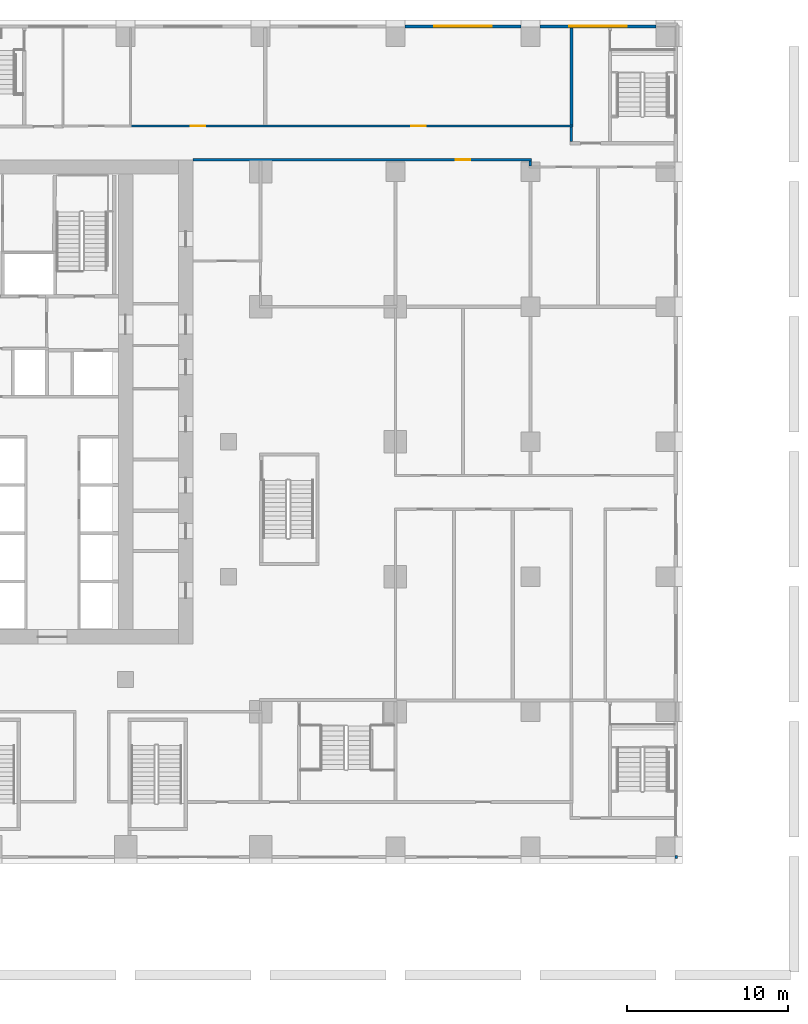
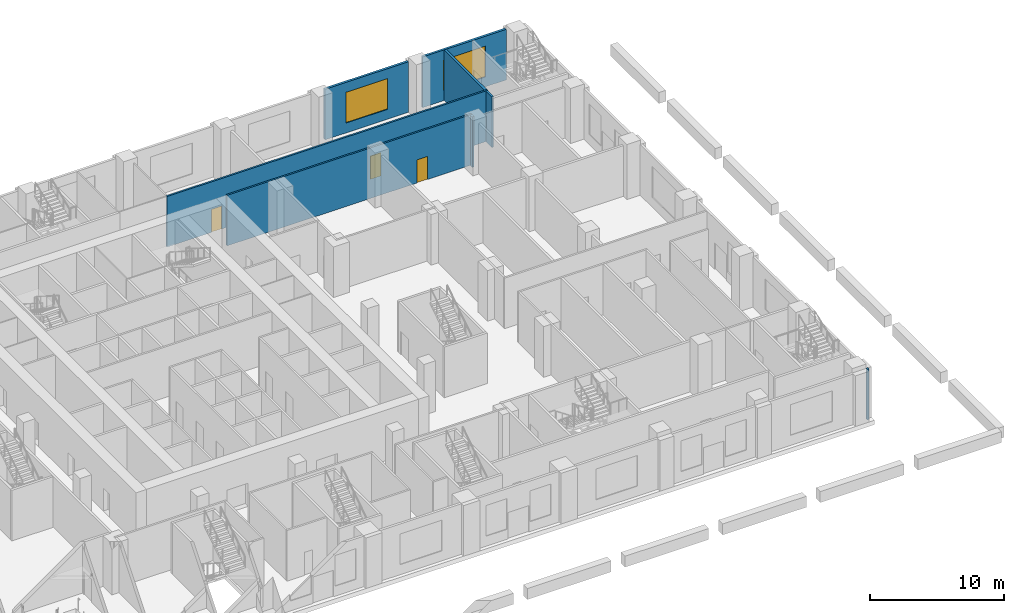
# One storey, part 9 of 21: 8 walls, 3 doors, 2 windows, 5 openings.
"""IFC4 building model written with IfcOpenShell, lengths in metres."""

import ifcopenshell
import ifcopenshell.guid

model = None  # the IFC model being written
_history = None  # IfcOwnerHistory: only IFC2X3 demands one
_inside = {}  # id of a spatial element -> (the spatial element, [elements in it])
_under = {}  # id of a project, library or spatial element -> (it, [spatial elements below it])
_declared = {}  # id of a project -> (the project, [libraries it declares])
_typed = {}  # id of a type object -> (the type object, [elements of that type])
_made_of = {}  # id of a material, layer set ... -> (it, [elements and type objects made of it])


def new_model(schema):
    """Start an empty IFC model of exactly this schema.

    Asked for "IFC4X3", IfcOpenShell would pick the latest addendum, in which some entities
    have other attributes; the version numbers below select the first issue.
    IFC2X3 requires an IfcOwnerHistory on every rooted entity: one is made here for all.
    """
    global model, _history
    if schema == "IFC4X3":
        model = ifcopenshell.file(schema_version=(4, 3, 0, 0))
    else:
        model = ifcopenshell.file(schema=schema)
    _inside.clear()
    _under.clear()
    _declared.clear()
    _typed.clear()
    _made_of.clear()
    _history = None
    if model.schema == "IFC2X3":
        org = make("IfcOrganization", Name="unknown")
        user = make(
            "IfcPersonAndOrganization",
            ThePerson=make("IfcPerson", FamilyName="unknown"),
            TheOrganization=org,
        )
        app = make(
            "IfcApplication",
            ApplicationDeveloper=org,
            Version="unknown",
            ApplicationFullName="unknown",
            ApplicationIdentifier="unknown",
        )
        _history = make(
            "IfcOwnerHistory",
            OwningUser=user,
            OwningApplication=app,
            ChangeAction="ADDED",
            CreationDate=0,
        )
    return model


def make(cls, **values):
    """One entity of the class cls with the attributes given. An attribute that is None is left unset."""
    return model.create_entity(
        cls, **{name: value for name, value in values.items() if value is not None}
    )


def rooted(cls, **values):
    """An entity with a GlobalId (a new one), such as an element, a storey or a relation."""
    return make(cls, GlobalId=ifcopenshell.guid.new(), OwnerHistory=_history, **values)


def si_unit(unit_type, name, prefix=None):
    """IfcSIUnit, for example si_unit("LENGTHUNIT", "METRE", prefix="MILLI")."""
    return make("IfcSIUnit", UnitType=unit_type, Prefix=prefix, Name=name)


def assignment(units):
    """IfcUnitAssignment: the units of a project."""
    return None if units is None else make("IfcUnitAssignment", Units=units)


def point(xyz):
    """IfcCartesianPoint."""
    return None if xyz is None else make("IfcCartesianPoint", Coordinates=xyz)


def direction(xyz):
    """IfcDirection."""
    return None if xyz is None else make("IfcDirection", DirectionRatios=xyz)


def frame(location, z_axis=None, x_axis=None):
    """IfcAxis2Placement3D, a coordinate frame: its origin and axes. An axis left out is left unset."""
    return make(
        "IfcAxis2Placement3D",
        Location=point(location),
        Axis=direction(z_axis),
        RefDirection=direction(x_axis),
    )


def frame_2d(location, x_axis=None):
    """IfcAxis2Placement2D, a coordinate frame in the plane: its origin and x axis."""
    return make(
        "IfcAxis2Placement2D", Location=point(location), RefDirection=direction(x_axis)
    )


def origin():
    """The frame at (0, 0, 0) with its axes left unset."""
    return frame((0.0, 0.0, 0.0))


def place(relative_to, where):
    """IfcLocalPlacement: puts the frame where relative to a parent placement (None: the world)."""
    return make(
        "IfcLocalPlacement", PlacementRelTo=relative_to, RelativePlacement=where
    )


def context(
    kind, dimensions, precision=None, world=None, true_north=None, identifier=None
):
    """IfcGeometricRepresentationContext, for example the 3D "Model" context."""
    return make(
        "IfcGeometricRepresentationContext",
        ContextIdentifier=identifier,
        ContextType=kind,
        CoordinateSpaceDimension=dimensions,
        Precision=precision,
        WorldCoordinateSystem=world,
        TrueNorth=true_north,
    )


def subcontext(parent, identifier, kind, view, scale=None):
    """IfcGeometricRepresentationSubContext, for example "Body" below "Model"."""
    return make(
        "IfcGeometricRepresentationSubContext",
        ContextIdentifier=identifier,
        ContextType=kind,
        ParentContext=parent,
        TargetScale=scale,
        TargetView=view,
    )


def project(units=None, contexts=None):
    """IfcProject with its units and contexts."""
    return rooted(
        "IfcProject",
        Name="project",
        RepresentationContexts=contexts,
        UnitsInContext=assignment(units),
    )


def spatial(cls, under=None, at=None, **own):
    """A site, building, storey or space (cls), placed at a placement, below another one or the project."""
    s = rooted(cls, ObjectPlacement=at, **own)
    if under is not None:
        _under.setdefault(under.id(), (under, []))[1].append(s)
    return s


def profile(cls, at=None, kind="AREA", **sizes):
    """A parametric profile (cls). Its sizes go by their IFC names, for example OverallWidth=200.0."""
    return make(cls, ProfileType=kind, Position=at, **sizes)


def rectangle(**sizes):
    """IfcRectangleProfileDef."""
    return profile("IfcRectangleProfileDef", **sizes)


def extrude(swept, where, along, depth):
    """IfcExtrudedAreaSolid: the profile swept, set in the frame where, extruded along a direction by depth."""
    return make(
        "IfcExtrudedAreaSolid",
        SweptArea=swept,
        Position=where,
        ExtrudedDirection=direction(along),
        Depth=depth,
    )


def shape(context_of_items, identifier, shape_type, items):
    """IfcShapeRepresentation: the items that make up one representation, for example the "Body"."""
    return make(
        "IfcShapeRepresentation",
        ContextOfItems=context_of_items,
        RepresentationIdentifier=identifier,
        RepresentationType=shape_type,
        Items=items,
    )


def material(Name=None, Category=None):
    """IfcMaterial."""
    return make("IfcMaterial", Name=Name, Category=Category)


def layer(
    of_material, thickness, ventilated=None, Name=None, Category=None, Priority=None
):
    """IfcMaterialLayer: one layer of a wall or slab, of a material (None: an air gap)."""
    return make(
        "IfcMaterialLayer",
        Material=of_material,
        LayerThickness=thickness,
        IsVentilated=ventilated,
        Name=Name,
        Category=Category,
        Priority=Priority,
    )


def layer_set(layers, Name=None):
    """IfcMaterialLayerSet."""
    return make("IfcMaterialLayerSet", MaterialLayers=layers, LayerSetName=Name)


def made_of(thing, what):
    """Note that an element or type object is made of a material, layer set ...; save() writes the relation."""
    if what is not None:
        _made_of.setdefault(what.id(), (what, []))[1].append(thing)
    return thing


def type_object(cls, material=None, **own):
    """A type object (cls), such as IfcWallType, which elements share."""
    return made_of(rooted(cls, **own), material)


def element(
    cls,
    number,
    at=None,
    inside=None,
    cuts=None,
    type_object=None,
    material=None,
    context=None,
    identifier="Body",
    shape_type=None,
    held_by="IfcProductDefinitionShape",
    body=None,
    shapes=None,
    **own,
):
    """One element of the class cls, such as IfcWall. Its Tag is "e" and its number.

    at: its placement. inside: the storey or other place that contains it. cuts: it is an
    opening in that element (IfcRelVoidsElement). A single representation is given by context,
    identifier, shape_type and body (its items); several are given by shapes. held_by: the class
    of the entity that holds the representations. save() writes the other relations.
    """
    e = rooted(cls, Tag="e%d" % number, ObjectPlacement=at, **own)
    if body is not None:
        shapes = [shape(context, identifier, shape_type, body)]
    if shapes is not None:
        e.Representation = make(held_by, Representations=shapes)
    if inside is not None:
        _inside.setdefault(inside.id(), (inside, []))[1].append(e)
    if cuts is not None:
        rooted(
            "IfcRelVoidsElement", RelatingBuildingElement=cuts, RelatedOpeningElement=e
        )
    if type_object is not None:
        _typed.setdefault(type_object.id(), (type_object, []))[1].append(e)
    return made_of(e, material)


def fill(opening, filler):
    """IfcRelFillsElement: the door or window that sits in an opening."""
    return rooted(
        "IfcRelFillsElement",
        RelatingOpeningElement=opening,
        RelatedBuildingElement=filler,
    )


def aggregate(whole, parts):
    """IfcRelAggregates: a whole, such as a stair, and the parts it consists of."""
    return rooted("IfcRelAggregates", RelatingObject=whole, RelatedObjects=parts)


def save(model, path):
    """Write the relations noted so far, then the file.

    IfcRelAggregates (storeys below a building ...), IfcRelContainedInSpatialStructure (elements
    in a storey), IfcRelDefinesByType, IfcRelAssociatesMaterial and IfcRelDeclares: one each for
    every whole, place, type object, material and project.
    """
    for whole, parts in _under.values():
        aggregate(whole, parts)
    for where, things in _inside.values():
        rooted(
            "IfcRelContainedInSpatialStructure",
            RelatedElements=things,
            RelatingStructure=where,
        )
    for kind, things in _typed.values():
        rooted("IfcRelDefinesByType", RelatedObjects=things, RelatingType=kind)
    for what, things in _made_of.values():
        rooted("IfcRelAssociatesMaterial", RelatedObjects=things, RelatingMaterial=what)
    for by, libraries in _declared.values():
        rooted("IfcRelDeclares", RelatingContext=by, RelatedDefinitions=libraries)
    model.write(path)


model = new_model("IFC4")

# Units and contexts
model_context = context("Model", 3, precision=1e-05, world=origin(), true_north=direction((0.0, 1.0)))
body_context = subcontext(model_context, "Body", "Model", "MODEL_VIEW")
ifc_project = project(units=[si_unit("LENGTHUNIT", "METRE"), si_unit("AREAUNIT", "SQUARE_METRE"), si_unit("VOLUMEUNIT", "CUBIC_METRE"), si_unit("PLANEANGLEUNIT", "RADIAN"), si_unit("MASSUNIT", "GRAM", prefix="KILO")], contexts=[model_context])

# Site, building, storey
site_placement = place(None, origin())
site = spatial("IfcSite", under=ifc_project, at=site_placement, CompositionType="ELEMENT")
building_placement = place(site_placement, origin())
building = spatial("IfcBuilding", under=site, at=building_placement, Name="Vermilion Ogive Tower", CompositionType="ELEMENT")
storey_placement = place(building_placement, frame((0.0, 0.0, 25.0)))
storey = spatial("IfcBuildingStorey", under=building, at=storey_placement, Name="L04", CompositionType="ELEMENT", Elevation=25.0)

# Wall, opening, door
ifc_material_1 = material(Name="Gypsum board partition on steel studs", Category="steel")
ifc_layer_1 = layer(ifc_material_1, 0.14990234375)
ifc_layer_set_1 = layer_set([ifc_layer_1], Name="Partition 150 corridor")
wall_type_1 = type_object("IfcWallType", Name="Partition 150 corridor", PredefinedType="PARTITIONING", material=ifc_layer_set_1)
wall_1_placement = place(storey_placement, frame((12.60107421875, 21.75, 0.0), z_axis=(0.0, 0.0, 1.0), x_axis=(1.0, 0.0, 0.0)))
wall_1 = element("IfcWall", 1, at=wall_1_placement, inside=storey, type_object=wall_type_1, Name="L04-FS-W-W025", PredefinedType="PARTITIONING", context=body_context, shape_type="SweptSolid", body=[
    extrude(rectangle(XDim=21.073974609375, YDim=0.14990234375, at=frame_2d((10.537109375, 0.0))), origin(), (0.0, 0.0, 1.0), 4.60009765625),
])
opening_1_placement = place(wall_1_placement, frame((16.348876953125, 0.0, 0.0)))
opening_1 = element("IfcOpeningElement", 2, at=opening_1_placement, cuts=wall_1, Name="Opening L04S029", PredefinedType="OPENING", context=body_context, shape_type="SweptSolid", body=[
    extrude(rectangle(XDim=0.89990234375, YDim=2.10009765625, at=frame_2d((0.449951171875, 1.050048828125))), frame((0.0, 0.0849609375, 0.0), z_axis=(0.0, -1.0, 0.0), x_axis=(1.0, 0.0, 0.0)), (0.0, 0.0, 1.0), 0.169921875),
])
ifc_material_2 = material(Name="Timber door leaf", Category="wood")
door_type = type_object("IfcDoorType", Name="Room door 900 x 2100 FD30", OperationType="SINGLE_SWING_LEFT", PredefinedType="DOOR", material=ifc_material_2)
door_1_placement = place(opening_1_placement, origin())
door_1 = element("IfcDoor", 3, at=door_1_placement, inside=storey, type_object=door_type, Name="L04-FS-D-D029", OperationType="SINGLE_SWING_RIGHT", OverallHeight=2.10009765625, OverallWidth=0.89990234375, PredefinedType="DOOR", context=body_context, shape_type="SweptSolid", body=[
    extrude(rectangle(XDim=0.89990234375, YDim=2.10009765625, at=frame_2d((0.449951171875, 1.050048828125))), frame((0.0, 0.02490234375, 0.0), z_axis=(0.0, -1.0, 0.0), x_axis=(1.0, 0.0, 0.0)), (0.0, 0.0, 1.0), 0.050048828125),
])
fill(opening_1, door_1)

# Wall, openings, doors
wall_2_placement = place(storey_placement, frame((8.64990234375, 23.85009765625, 0.0), z_axis=(0.0, 0.0, 1.0), x_axis=(1.0, 0.0, 0.0)))
wall_2 = element("IfcWall", 4, at=wall_2_placement, inside=storey, type_object=wall_type_1, Name="L04-FS-W-W029", PredefinedType="PARTITIONING", context=body_context, shape_type="SweptSolid", body=[
    extrude(rectangle(XDim=27.60009765625, YDim=0.14990234375, at=frame_2d((13.800048828125, 0.0))), origin(), (0.0, 0.0, 1.0), 4.60009765625),
])
opening_2_placement = place(wall_2_placement, frame((3.800048828125, 0.0, 0.0)))
opening_2 = element("IfcOpeningElement", 5, at=opening_2_placement, cuts=wall_2, Name="Opening L04S034", PredefinedType="OPENING", context=body_context, shape_type="SweptSolid", body=[
    extrude(rectangle(XDim=0.89990234375, YDim=2.10009765625, at=frame_2d((0.449951171875, 1.050048828125))), frame((0.0, 0.0849609375, 0.0), z_axis=(0.0, -1.0, 0.0), x_axis=(1.0, 0.0, 0.0)), (0.0, 0.0, 1.0), 0.169921875),
])
opening_3_placement = place(wall_2_placement, frame((17.525146484375, 0.0, 0.0)))
opening_3 = element("IfcOpeningElement", 6, at=opening_3_placement, cuts=wall_2, Name="Opening L04S035", PredefinedType="OPENING", context=body_context, shape_type="SweptSolid", body=[
    extrude(rectangle(XDim=0.89990234375, YDim=2.10009765625, at=frame_2d((0.449951171875, 1.050048828125))), frame((0.0, 0.0849609375, 0.0), z_axis=(0.0, -1.0, 0.0), x_axis=(1.0, 0.0, 0.0)), (0.0, 0.0, 1.0), 0.169921875),
])
door_2_placement = place(opening_2_placement, origin())
door_2 = element("IfcDoor", 7, at=door_2_placement, inside=storey, type_object=door_type, Name="L04-FS-D-D034", OperationType="SINGLE_SWING_LEFT", OverallHeight=2.10009765625, OverallWidth=0.89990234375, PredefinedType="DOOR", context=body_context, shape_type="SweptSolid", body=[
    extrude(rectangle(XDim=0.89990234375, YDim=2.10009765625, at=frame_2d((0.449951171875, 1.050048828125))), frame((0.0, 0.02490234375, 0.0), z_axis=(0.0, -1.0, 0.0), x_axis=(1.0, 0.0, 0.0)), (0.0, 0.0, 1.0), 0.050048828125),
])
fill(opening_2, door_2)
door_3_placement = place(opening_3_placement, origin())
door_3 = element("IfcDoor", 8, at=door_3_placement, inside=storey, type_object=door_type, Name="L04-FS-D-D035", OperationType="SINGLE_SWING_RIGHT", OverallHeight=2.10009765625, OverallWidth=0.89990234375, PredefinedType="DOOR", context=body_context, shape_type="SweptSolid", body=[
    extrude(rectangle(XDim=0.89990234375, YDim=2.10009765625, at=frame_2d((0.449951171875, 1.050048828125))), frame((0.0, 0.02490234375, 0.0), z_axis=(0.0, -1.0, 0.0), x_axis=(1.0, 0.0, 0.0)), (0.0, 0.0, 1.0), 0.050048828125),
])
fill(opening_3, door_3)

# Walls
wall_3_placement = place(storey_placement, frame((33.60009765625, 21.375, 0.0), z_axis=(0.0, 0.0, 1.0), x_axis=(0.0, 1.0, 0.0)))
element("IfcWall", 9, at=wall_3_placement, inside=storey, type_object=wall_type_1, Name="L04-FS-W-W063", PredefinedType="PARTITIONING", context=body_context, shape_type="SweptSolid", body=[
    extrude(rectangle(XDim=0.300048828125, YDim=0.14990234375, at=frame_2d((0.14990234375, 0.0))), origin(), (0.0, 0.0, 1.0), 4.60009765625),
])
wall_4_placement = place(storey_placement, frame((36.14990234375, 22.875, 0.0), z_axis=(0.0, 0.0, 1.0), x_axis=(0.0, 1.0, 0.0)))
element("IfcWall", 10, at=wall_4_placement, inside=storey, type_object=wall_type_1, Name="L04-FS-W-W067", PredefinedType="PARTITIONING", context=body_context, shape_type="SweptSolid", body=[
    extrude(rectangle(XDim=0.89990234375, YDim=0.14990234375, at=frame_2d((0.449951171875, 0.0))), origin(), (0.0, 0.0, 1.0), 4.60009765625),
])
ifc_material_3 = material(Name="Gypsum board partition on steel studs", Category="steel")
ifc_layer_2 = layer(ifc_material_3, 0.199951171875)
ifc_layer_set_2 = layer_set([ifc_layer_2], Name="Partition 200 party")
wall_type_2 = type_object("IfcWallType", Name="Partition 200 party", PredefinedType="PARTITIONING", material=ifc_layer_set_2)
wall_5_placement = place(storey_placement, frame((36.14990234375, 23.925048828125, 0.0), z_axis=(0.0, 0.0, 1.0), x_axis=(0.0, 1.0, 0.0)))
element("IfcWall", 11, at=wall_5_placement, inside=storey, type_object=wall_type_2, Name="L04-FS-W-W068", PredefinedType="PARTITIONING", context=body_context, shape_type="SweptSolid", body=[
    extrude(rectangle(XDim=6.02490234375, YDim=0.199951171875, at=frame_2d((3.012451171875, 0.0))), origin(), (0.0, 0.0, 1.0), 4.60009765625),
])

# Wall, opening, window
ifc_material_4 = material(Name="Concrete B60", Category="concrete")
ifc_layer_3 = layer(ifc_material_4, 0.199951171875)
ifc_layer_set_3 = layer_set([ifc_layer_3], Name="Stair shaft wall 200 Concrete B60")
wall_type_3 = type_object("IfcWallType", Name="Stair shaft wall 200 Concrete B60", PredefinedType="SOLIDWALL", material=ifc_layer_set_3)
wall_6_placement = place(storey_placement, frame((34.199951171875, 30.050048828125, 0.0), z_axis=(0.0, 0.0, 1.0), x_axis=(1.0, 0.0, 0.0)))
wall_6 = element("IfcWall", 12, at=wall_6_placement, inside=storey, type_object=wall_type_3, Name="Window wall N1", PredefinedType="SOLIDWALL", context=body_context, shape_type="SweptSolid", body=[
    extrude(rectangle(XDim=7.199951171875, YDim=0.199951171875, at=frame_2d((3.60009765625, 0.0))), origin(), (0.0, 0.0, 1.0), 4.60009765625),
])
opening_4_placement = place(wall_6_placement, frame((1.800048828125, 0.0, 0.89990234375)))
opening_4 = element("IfcOpeningElement", 13, at=opening_4_placement, cuts=wall_6, Name="Opening P-N1", PredefinedType="OPENING", context=body_context, shape_type="SweptSolid", body=[
    extrude(rectangle(XDim=3.60009765625, YDim=2.800048828125, at=frame_2d((1.800048828125, 1.39990234375))), frame((0.0, 0.10986328125, 0.0), z_axis=(0.0, -1.0, 0.0), x_axis=(1.0, 0.0, 0.0)), (0.0, 0.0, 1.0), 0.219970703125),
])
ifc_material_5 = material(Name="Aluminium framed double glazing", Category="aluminium")
window_type = type_object("IfcWindowType", Name="Podium window P 3600x2800 sill 900", PartitioningType="SINGLE_PANEL", PredefinedType="WINDOW", material=ifc_material_5)
window_1_placement = place(opening_4_placement, origin())
window_1 = element("IfcWindow", 14, at=window_1_placement, inside=storey, type_object=window_type, Name="Window N1", OverallHeight=2.800048828125, OverallWidth=3.60009765625, PartitioningType="SINGLE_PANEL", PredefinedType="WINDOW", context=body_context, shape_type="SweptSolid", body=[
    extrude(rectangle(XDim=3.60009765625, YDim=2.800048828125, at=frame_2d((1.800048828125, 1.39990234375))), frame((0.0, 0.030029296875, 0.0), z_axis=(0.0, -1.0, 0.0), x_axis=(1.0, 0.0, 0.0)), (0.0, 0.0, 1.0), 0.06005859375),
])
fill(opening_4, window_1)

# Wall
ifc_material_6 = material(Name="Aluminium window wall framing", Category="aluminium")
ifc_layer_4 = layer(ifc_material_6, 0.199951171875)
ifc_layer_set_4 = layer_set([ifc_layer_4], Name="Window wall")
wall_type_4 = type_object("IfcWallType", Name="Window wall", PredefinedType="STANDARD", material=ifc_layer_set_4)
wall_7_placement = place(storey_placement, frame((42.60009765625, -21.64990234375, 0.0), z_axis=(0.0, 0.0, 1.0), x_axis=(1.0, 0.0, 0.0)))
element("IfcWall", 15, at=wall_7_placement, inside=storey, type_object=wall_type_4, Name="Window wall S9", PredefinedType="STANDARD", context=body_context, shape_type="SweptSolid", body=[
    extrude(rectangle(XDim=0.14990234375, YDim=0.199951171875, at=frame_2d((0.074951171875, 0.0))), origin(), (0.0, 0.0, 1.0), 4.60009765625),
])

# Wall, opening, window
wall_8_placement = place(storey_placement, frame((33.0, 30.050048828125, 0.0), z_axis=(0.0, 0.0, 1.0), x_axis=(-1.0, 0.0, 0.0)))
wall_8 = element("IfcWall", 16, at=wall_8_placement, inside=storey, type_object=wall_type_4, Name="Window wall N2", PredefinedType="STANDARD", context=body_context, shape_type="SweptSolid", body=[
    extrude(rectangle(XDim=7.199951171875, YDim=0.199951171875, at=frame_2d((3.60009765625, 0.0))), origin(), (0.0, 0.0, 1.0), 4.60009765625),
])
opening_5_placement = place(wall_8_placement, frame((1.800048828125, 0.0, 0.89990234375)))
opening_5 = element("IfcOpeningElement", 17, at=opening_5_placement, cuts=wall_8, Name="Opening P-N2", PredefinedType="OPENING", context=body_context, shape_type="SweptSolid", body=[
    extrude(rectangle(XDim=3.60009765625, YDim=2.800048828125, at=frame_2d((1.800048828125, 1.39990234375))), frame((0.0, 0.10986328125, 0.0), z_axis=(0.0, -1.0, 0.0), x_axis=(1.0, 0.0, 0.0)), (0.0, 0.0, 1.0), 0.219970703125),
])
window_2_placement = place(opening_5_placement, origin())
window_2 = element("IfcWindow", 18, at=window_2_placement, inside=storey, type_object=window_type, Name="Window N2", OverallHeight=2.800048828125, OverallWidth=3.60009765625, PartitioningType="SINGLE_PANEL", PredefinedType="WINDOW", context=body_context, shape_type="SweptSolid", body=[
    extrude(rectangle(XDim=3.60009765625, YDim=2.800048828125, at=frame_2d((1.800048828125, 1.39990234375))), frame((0.0, 0.030029296875, 0.0), z_axis=(0.0, -1.0, 0.0), x_axis=(1.0, 0.0, 0.0)), (0.0, 0.0, 1.0), 0.06005859375),
])
fill(opening_5, window_2)

save(model, "model.ifc")
